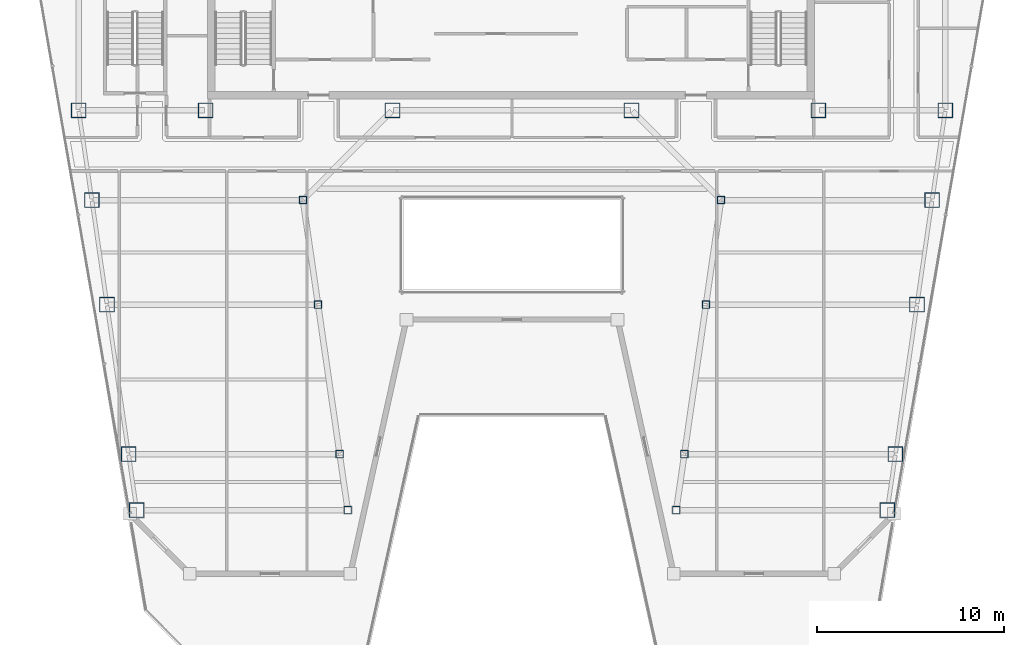
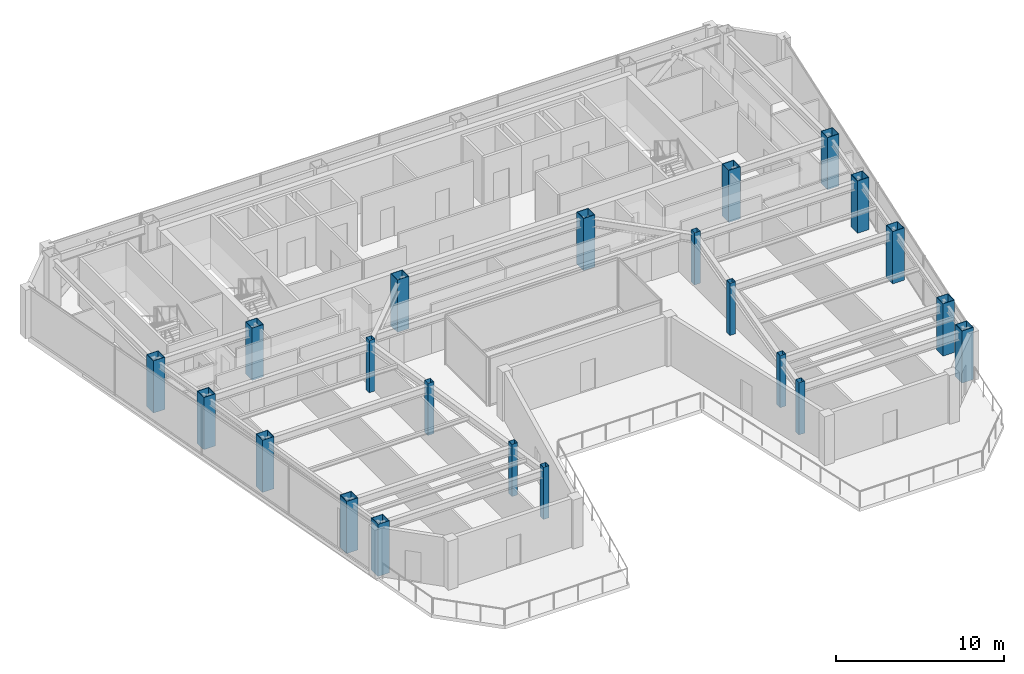
# One storey, part 1 of 31: 22 columns.
"""IFC4 building model written with IfcOpenShell, lengths in metres."""

from ifc_helpers import new_model, si_unit, direction, frame, origin, origin_2d, place, context, subcontext, project, spatial, hollow_rectangle, extrude, material, material_profile, profile_set, type_object, element, save


model = new_model("IFC4")

# Units and contexts
model_context = context("Model", 3, precision=1e-05, world=origin(), true_north=direction((0.0, 1.0)))
body_context = subcontext(model_context, "Body", "Model", "MODEL_VIEW")
ifc_project = project(units=[si_unit("LENGTHUNIT", "METRE"), si_unit("AREAUNIT", "SQUARE_METRE"), si_unit("VOLUMEUNIT", "CUBIC_METRE"), si_unit("PLANEANGLEUNIT", "RADIAN"), si_unit("MASSUNIT", "GRAM", prefix="KILO")], contexts=[model_context])

# Site, building, storey
site_placement = place(None, origin())
site = spatial("IfcSite", under=ifc_project, at=site_placement, CompositionType="ELEMENT")
building_placement = place(site_placement, origin())
building = spatial("IfcBuilding", under=site, at=building_placement, Name="Saevonmaru Cultural Tower", CompositionType="ELEMENT")
storey_placement = place(building_placement, frame((0.0, 0.0, 230.60009765625)))
storey = spatial("IfcBuildingStorey", under=building, at=storey_placement, Name="L53", CompositionType="ELEMENT", Elevation=230.60009765625)

# Columns
ifc_material_1 = material(Name="Steel SM420", Category="steel")
ifc_material_profile_1 = material_profile(ifc_material_1, hollow_rectangle(XDim=0.800048828125, YDim=0.800048828125, WallThickness=0.035888671875, at=origin_2d()), Name="BOX-800x800x36")
ifc_profile_set_1 = profile_set([ifc_material_profile_1], Name="Steel SM420")
column_type_1 = type_object("IfcColumnType", Name="COL-BOX-800", PredefinedType="COLUMN", material=ifc_profile_set_1)
for number, where, z_axis, x_axis, name in (
    (1, (6.800048828125, 42.39990234375, 0.0), (0.0, 0.0, 1.0), (1.0, 0.0, 0.0), "L53 Column TC-S1C"),
    (2, (13.60009765625, 42.39990234375, 0.0), (0.0, 0.0, 1.0), (1.0, 0.0, 0.0), "L53 Column TC-S2C"),
    (3, (23.60009765625, 42.39990234375, 0.0), (0.0, 0.0, 1.0), (1.0, 0.0, 0.0), "L53 Column TC-S3C"),
    (4, (36.39990234375, 42.39990234375, 0.0), (0.0, 0.0, 1.0), (1.0, 0.0, 0.0), "L53 Column TC-S4C"),
    (5, (46.39990234375, 42.39990234375, 0.0), (0.0, 0.0, 1.0), (1.0, 0.0, 0.0), "L53 Column TC-S5C"),
    (6, (53.199951171875, 42.39990234375, 0.0), (0.0, 0.0, 1.0), (1.0, 0.0, 0.0), "L53 Column TC-S6C"),
    (7, (9.906005859375, 21.0, 0.0), (0.0, 0.0, 1.0), (1.0, 0.0, 0.0), "L53 Column TC-WO-Y210"),
    (8, (50.093994140625, 21.0, 0.0), (0.0, 0.0, 1.0), (1.0, 0.0, 0.0), "L53 Column TC-EO-Y210"),
    (9, (9.471923828125, 24.0, 0.0), (0.0, 0.0, 1.0), (1.0, 0.0, 0.0), "L53 Column TC-WO-Y240"),
    (10, (50.528076171875, 24.0, 0.0), (0.0, 0.0, 1.0), (1.0, 0.0, 0.0), "L53 Column TC-EO-Y240"),
    (11, (8.31689453125, 32.0, 0.0), (0.0, 0.0, 1.0), (1.0, 0.0, 0.0), "L53 Column TC-WO-Y320"),
    (12, (51.68310546875, 32.0, 0.0), (0.0, 0.0, 1.0), (1.0, 0.0, 0.0), "L53 Column TC-EO-Y320"),
    (13, (7.508056640625, 37.60009765625, 0.0), (0.0, 0.0, 1.0), (1.0, 0.0, 0.0), "L53 Column TC-WO-Y376"),
    (14, (52.491943359375, 37.60009765625, 0.0), (0.0, 0.0, 1.0), (1.0, 0.0, 0.0), "L53 Column TC-EO-Y376"),
):
    element("IfcColumn", number, at=place(storey_placement, frame(where, z_axis=z_axis, x_axis=x_axis)), inside=storey, type_object=column_type_1, Name=name, PredefinedType="COLUMN", context=body_context, shape_type="SweptSolid", body=[
        extrude(hollow_rectangle(XDim=0.800048828125, YDim=0.800048828125, WallThickness=0.035888671875, at=origin_2d()), origin(), (0.0, 0.0, 1.0), 3.7998046875),
    ])
ifc_material_2 = material(Name="Steel SM355", Category="steel")
ifc_material_profile_2 = material_profile(ifc_material_2, hollow_rectangle(XDim=0.39990234375, YDim=0.39990234375, WallThickness=0.01611328125, at=origin_2d()), Name="SHS-400x400x16")
ifc_profile_set_2 = profile_set([ifc_material_profile_2], Name="Steel SM355")
column_type_2 = type_object("IfcColumnType", Name="COL-SHS-400", PredefinedType="COLUMN", material=ifc_profile_set_2)
for number, where, z_axis, x_axis, name in (
    (15, (21.2060546875, 21.0, 0.0), (0.0, 0.0, 1.0), (1.0, 0.0, 0.0), "L53 Column TC-WI-Y210"),
    (16, (38.7939453125, 21.0, 0.0), (0.0, 0.0, 1.0), (1.0, 0.0, 0.0), "L53 Column TC-EI-Y210"),
    (17, (20.77197265625, 24.0, 0.0), (0.0, 0.0, 1.0), (1.0, 0.0, 0.0), "L53 Column TC-WI-Y240"),
    (18, (39.22802734375, 24.0, 0.0), (0.0, 0.0, 1.0), (1.0, 0.0, 0.0), "L53 Column TC-EI-Y240"),
    (19, (19.616943359375, 32.0, 0.0), (0.0, 0.0, 1.0), (1.0, 0.0, 0.0), "L53 Column TC-WI-Y320"),
    (20, (40.383056640625, 32.0, 0.0), (0.0, 0.0, 1.0), (1.0, 0.0, 0.0), "L53 Column TC-EI-Y320"),
    (21, (18.80810546875, 37.60009765625, 0.0), (0.0, 0.0, 1.0), (1.0, 0.0, 0.0), "L53 Column TC-WI-Y376"),
    (22, (41.19189453125, 37.60009765625, 0.0), (0.0, 0.0, 1.0), (1.0, 0.0, 0.0), "L53 Column TC-EI-Y376"),
):
    element("IfcColumn", number, at=place(storey_placement, frame(where, z_axis=z_axis, x_axis=x_axis)), inside=storey, type_object=column_type_2, Name=name, PredefinedType="COLUMN", context=body_context, shape_type="SweptSolid", body=[
        extrude(hollow_rectangle(XDim=0.39990234375, YDim=0.39990234375, WallThickness=0.01611328125, at=origin_2d()), origin(), (0.0, 0.0, 1.0), 3.7998046875),
    ])

save(model, "model.ifc")
